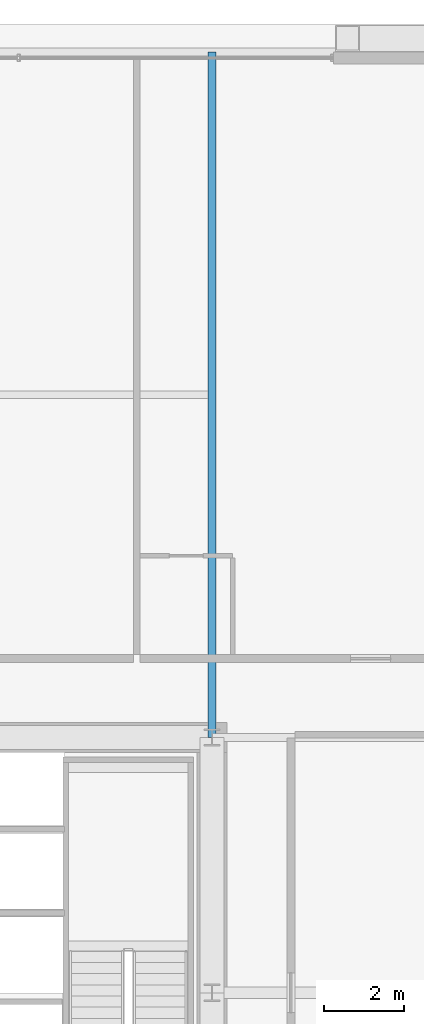
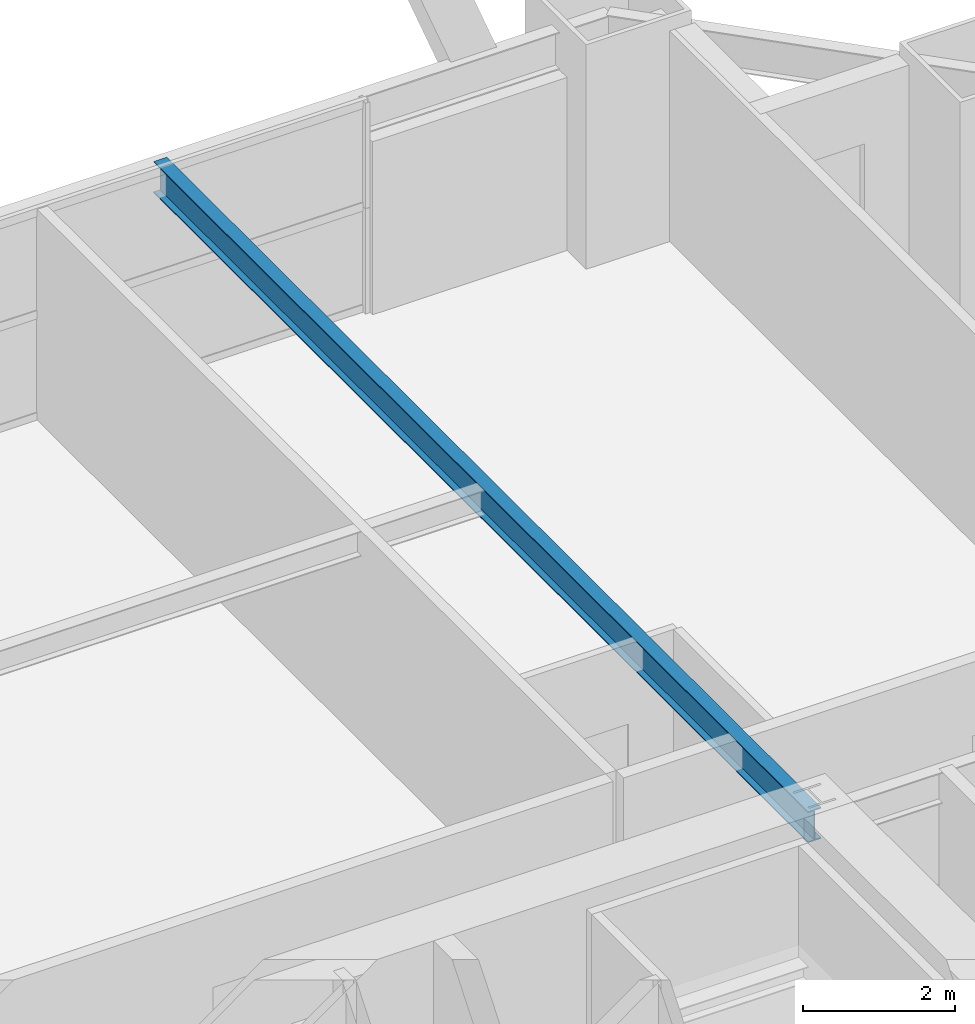
# One storey, part 31 of 43: 1 beam.
"""IFC4 building model written with IfcOpenShell, lengths in metres."""

from ifc_helpers import new_model, si_unit, direction, frame, origin, origin_2d, place, context, subcontext, project, spatial, i_section, extrude, source, transform, mapped, material, material_profile, profile_set, type_object, element, save


model = new_model("IFC4")

# Units and contexts
model_context = context("Model", 3, precision=1e-05, world=origin(), true_north=direction((0.0, 1.0)))
body_context = subcontext(model_context, "Body", "Model", "MODEL_VIEW")
ifc_project = project(units=[si_unit("LENGTHUNIT", "METRE"), si_unit("AREAUNIT", "SQUARE_METRE"), si_unit("VOLUMEUNIT", "CUBIC_METRE"), si_unit("PLANEANGLEUNIT", "RADIAN"), si_unit("MASSUNIT", "GRAM", prefix="KILO"), si_unit("THERMODYNAMICTEMPERATUREUNIT", "KELVIN"), si_unit("POWERUNIT", "WATT")], contexts=[model_context])

# Site, building, storey
site_placement = place(None, origin())
site = spatial("IfcSite", under=ifc_project, at=site_placement, CompositionType="ELEMENT")
building_placement = place(site_placement, origin())
building = spatial("IfcBuilding", under=site, at=building_placement, Name="Yuzanri Waterfront Tower", CompositionType="ELEMENT")
storey_placement = place(building_placement, frame((0.0, 0.0, 108.199951171875)))
storey = spatial("IfcBuildingStorey", under=building, at=storey_placement, Name="L28", CompositionType="ELEMENT", Elevation=108.199951171875)

# Beam
ifc_material = material(Name="Steel Q355B", Category="steel")
ifc_material_profile = material_profile(ifc_material, i_section(OverallWidth=0.199951171875, OverallDepth=0.5, WebThickness=0.010009765625, FlangeThickness=0.01611328125, at=origin_2d()), Name="HN 500x200x10x16")
ifc_profile_set = profile_set([ifc_material_profile], Name="Steel Q355B")
beam_type = type_object("IfcBeamType", Name="Secondary Floor Beam Q355B HN 500x200", PredefinedType="BEAM", material=ifc_profile_set)
shared_shape = source(origin(), body_context, "Body", "SweptSolid", [
    extrude(i_section(OverallWidth=0.199951171875, OverallDepth=0.5, WebThickness=0.010009765625, FlangeThickness=0.01611328125, at=origin_2d()), origin(), (0.0, 0.0, 1.0), 17.199951171875),
])
beam_placement = place(storey_placement, frame((50.199951171875, 32.199951171875, 3.130126953125), z_axis=(0.0, 1.0, 0.0), x_axis=(-1.0, 0.0, 0.0)))
element("IfcBeam", 1, at=beam_placement, inside=storey, type_object=beam_type, Name="L28 North-East Core Line Beam", PredefinedType="BEAM", context=body_context, shape_type="MappedRepresentation", body=[
    mapped(shared_shape, transform((0.0, 0.0, 0.0), scale=1.0)),
])

save(model, "model.ifc")
